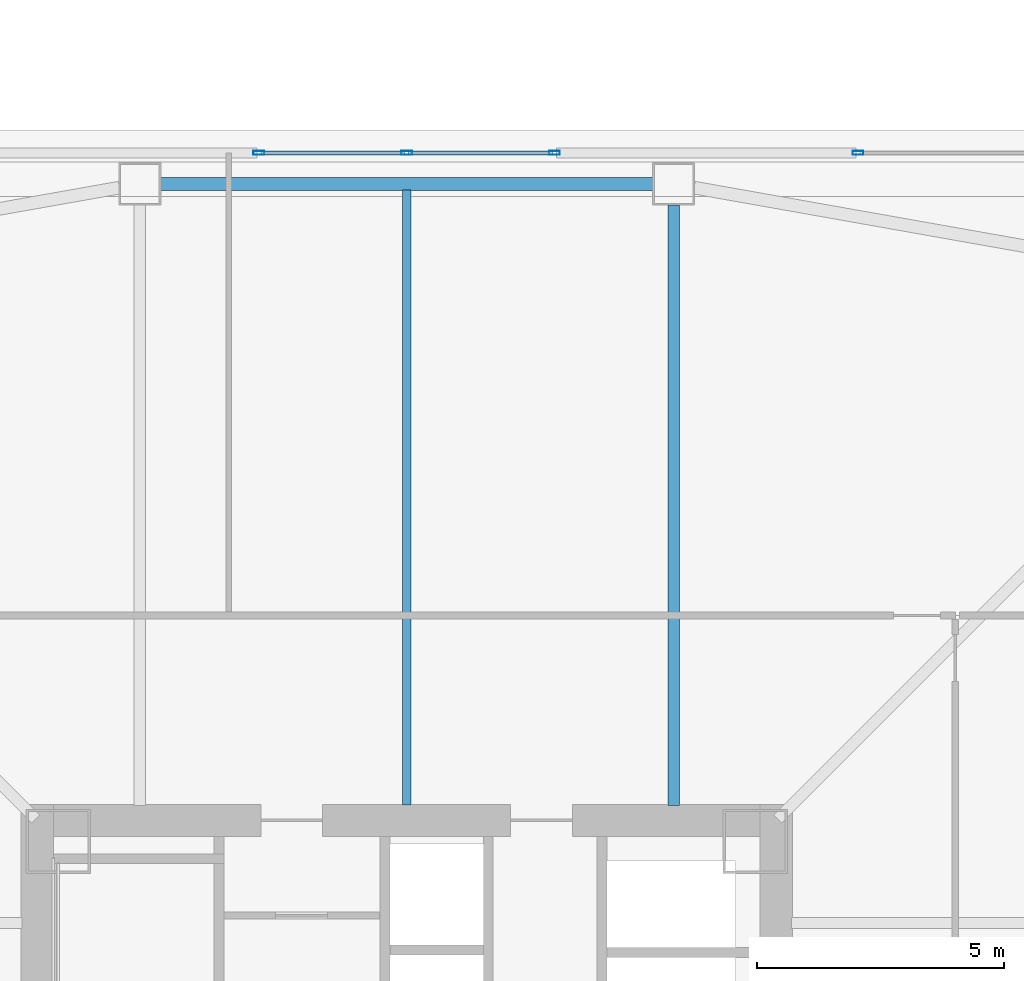
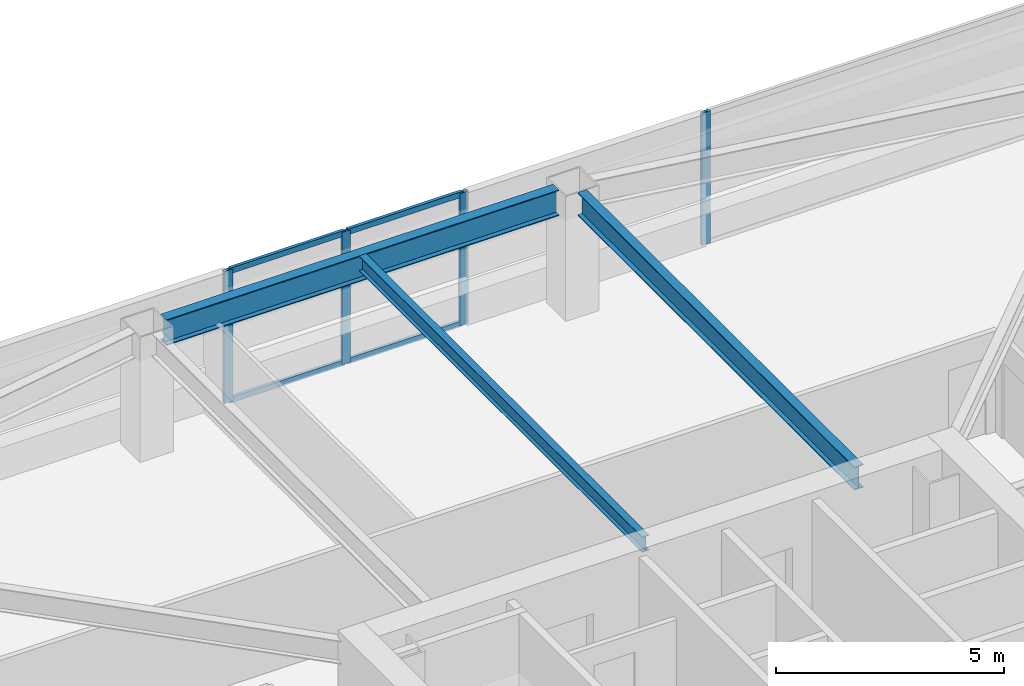
# One storey, part 13 of 44: 8 members, 3 beams, 2 elements without a shape of their own.
"""IFC4 building model written with IfcOpenShell, lengths in metres."""

from ifc_helpers import new_model, si_unit, direction, frame, origin, origin_2d, place, context, subcontext, project, spatial, hollow_rectangle, i_section, extrude, material, material_profile, profile_set, type_object, element, aggregate, save


model = new_model("IFC4")

# Units and contexts
model_context = context("Model", 3, precision=1e-05, world=origin(), true_north=direction((0.0, 1.0)))
body_context = subcontext(model_context, "Body", "Model", "MODEL_VIEW")
ifc_project = project(units=[si_unit("LENGTHUNIT", "METRE"), si_unit("AREAUNIT", "SQUARE_METRE"), si_unit("VOLUMEUNIT", "CUBIC_METRE"), si_unit("PLANEANGLEUNIT", "RADIAN"), si_unit("MASSUNIT", "GRAM", prefix="KILO")], contexts=[model_context])

# Site, building, storey
site_placement = place(None, origin())
site = spatial("IfcSite", under=ifc_project, at=site_placement, CompositionType="ELEMENT")
building_placement = place(site_placement, origin())
building = spatial("IfcBuilding", under=site, at=building_placement, Name="Tashvorn Skyway Center", CompositionType="ELEMENT")
storey_placement = place(building_placement, frame((0.0, 0.0, 92.050048828125)))
storey = spatial("IfcBuildingStorey", under=building, at=storey_placement, Name="L24", CompositionType="ELEMENT", Elevation=92.050048828125)

# Beams
ifc_material_1 = material(Name="Steel ASTM A992 Grade 50", Category="steel")
ifc_material_profile_1 = material_profile(ifc_material_1, i_section(OverallWidth=0.22998046875, OverallDepth=0.616943359375, WebThickness=0.01318359375, FlangeThickness=0.022216796875, at=origin_2d()), Name="W24X94")
ifc_profile_set_1 = profile_set([ifc_material_profile_1], Name="Steel ASTM A992 Grade 50")
beam_type_1 = type_object("IfcBeamType", Name="BM-BEAM-W24X94", PredefinedType="BEAM", material=ifc_profile_set_1)
beam_1_placement = place(storey_placement, frame((47.39990234375, 51.929931640625, 3.04150390625), z_axis=(0.0, -1.0, 0.0), x_axis=(1.0, 0.0, 0.0)))
element("IfcBeam", 1, at=beam_1_placement, inside=storey, type_object=beam_type_1, Name="Tower 1 L24 Primary Floor Girder FC-N1", PredefinedType="BEAM", context=body_context, shape_type="SweptSolid", body=[
    extrude(i_section(OverallWidth=0.22998046875, OverallDepth=0.616943359375, WebThickness=0.01318359375, FlangeThickness=0.022216796875, at=origin_2d()), origin(), (0.0, 0.0, 1.0), 12.14990234375),
])
ifc_material_profile_2 = material_profile(ifc_material_1, i_section(OverallWidth=0.177978515625, OverallDepth=0.406005859375, WebThickness=0.0078125, FlangeThickness=0.0126953125, at=origin_2d()), Name="W16X40")
ifc_profile_set_2 = profile_set([ifc_material_profile_2], Name="Steel ASTM A992 Grade 50")
beam_type_2 = type_object("IfcBeamType", Name="BM-JOIST-W16X40", PredefinedType="JOIST", material=ifc_profile_set_2)
beam_2_placement = place(storey_placement, frame((42.0, 39.7900390625, 3.14697265625), z_axis=(0.0, 1.0, 0.0), x_axis=(-1.0, 0.0, 0.0)))
element("IfcBeam", 2, at=beam_2_placement, inside=storey, type_object=beam_type_2, Name="Tower 1 L24 Secondary Composite Joist JN", PredefinedType="JOIST", context=body_context, shape_type="SweptSolid", body=[
    extrude(i_section(OverallWidth=0.177978515625, OverallDepth=0.406005859375, WebThickness=0.0078125, FlangeThickness=0.0126953125, at=origin_2d()), origin(), (0.0, 0.0, 1.0), 12.43994140625),
])
ifc_material_profile_3 = material_profile(ifc_material_1, i_section(OverallWidth=0.256103515625, OverallDepth=0.693115234375, WebThickness=0.014404296875, FlangeThickness=0.023681640625, at=origin_2d()), Name="W27X114")
ifc_profile_set_3 = profile_set([ifc_material_profile_3], Name="Steel ASTM A992 Grade 50")
beam_type_3 = type_object("IfcBeamType", Name="BM-SPANDREL-W27X114", PredefinedType="SPANDREL", material=ifc_profile_set_3)
beam_3_placement = place(storey_placement, frame((46.97998046875, 52.35009765625, 3.00341796875), z_axis=(-1.0, 0.0, 0.0), x_axis=(0.0, -1.0, 0.0)))
element("IfcBeam", 3, at=beam_3_placement, inside=storey, type_object=beam_type_3, Name="Tower 1 L24 Spandrel Beam 08", PredefinedType="SPANDREL", context=body_context, shape_type="SweptSolid", body=[
    extrude(i_section(OverallWidth=0.256103515625, OverallDepth=0.693115234375, WebThickness=0.014404296875, FlangeThickness=0.023681640625, at=origin_2d()), origin(), (0.0, 0.0, 1.0), 9.9599609375),
])

# Curtain wall, members
ifc_material_2 = material(Name="Thermally broken bronze-anodized aluminium 6063-T6", Category="aluminium")
curtain_wall_type = type_object("IfcCurtainWallType", Name="CW-CW-Z2", PredefinedType="NOTDEFINED", material=ifc_material_2)
curtain_wall_1_placement = place(storey_placement, origin())
curtain_wall_1 = element("IfcCurtainWall", 4, at=curtain_wall_1_placement, inside=storey, type_object=curtain_wall_type, Name="Tower 1 L24 North Unitised Curtain Wall Glazing Group 2", PredefinedType="NOTDEFINED")
ifc_material_profile_4 = material_profile(ifc_material_2, hollow_rectangle(XDim=0.080078125, YDim=0.219970703125, WallThickness=0.0048828125, at=origin_2d()), Name="ALU-MULL-80x220")
ifc_profile_set_4 = profile_set([ifc_material_profile_4], Name="Thermally broken bronze-anodized aluminium 6063-T6")
member_type_1 = type_object("IfcMemberType", Name="CWM-CW-Z2", PredefinedType="MULLION", material=ifc_profile_set_4)
member_1_placement = place(storey_placement, frame((39.010009765625, 52.97998046875, 0.0), z_axis=(0.0, 0.0, 1.0), x_axis=(0.0, 1.0, 0.0)))
member_1 = element("IfcMember", 5, at=member_1_placement, type_object=member_type_1, Name="CW-Z2 mullion 1", PredefinedType="MULLION", context=body_context, shape_type="SweptSolid", body=[
    extrude(hollow_rectangle(XDim=0.080078125, YDim=0.219970703125, WallThickness=0.0048828125, at=origin_2d()), origin(), (0.0, 0.0, 1.0), 3.550048828125),
])
member_2_placement = place(storey_placement, frame((42.0, 52.97998046875, 0.0), z_axis=(0.0, 0.0, 1.0), x_axis=(0.0, 1.0, 0.0)))
member_2 = element("IfcMember", 6, at=member_2_placement, type_object=member_type_1, Name="CW-Z2 mullion 2", PredefinedType="MULLION", context=body_context, shape_type="SweptSolid", body=[
    extrude(hollow_rectangle(XDim=0.080078125, YDim=0.219970703125, WallThickness=0.0048828125, at=origin_2d()), origin(), (0.0, 0.0, 1.0), 3.550048828125),
])
member_3_placement = place(storey_placement, frame((44.989990234375, 52.97998046875, 0.0), z_axis=(0.0, 0.0, 1.0), x_axis=(0.0, 1.0, 0.0)))
member_3 = element("IfcMember", 7, at=member_3_placement, type_object=member_type_1, Name="CW-Z2 mullion 3", PredefinedType="MULLION", context=body_context, shape_type="SweptSolid", body=[
    extrude(hollow_rectangle(XDim=0.080078125, YDim=0.219970703125, WallThickness=0.0048828125, at=origin_2d()), origin(), (0.0, 0.0, 1.0), 3.550048828125),
])

# Curtain wall, member
curtain_wall_2_placement = place(storey_placement, origin())
curtain_wall_2 = element("IfcCurtainWall", 8, at=curtain_wall_2_placement, inside=storey, type_object=curtain_wall_type, Name="Tower 1 L24 North Unitised Curtain Wall Glazing Group 3", PredefinedType="NOTDEFINED")
member_4_placement = place(storey_placement, frame((51.1298828125, 52.97998046875, 0.0), z_axis=(0.0, 0.0, 1.0), x_axis=(0.0, 1.0, 0.0)))
member_4 = element("IfcMember", 9, at=member_4_placement, type_object=member_type_1, Name="CW-Z2 mullion 1", PredefinedType="MULLION", context=body_context, shape_type="SweptSolid", body=[
    extrude(hollow_rectangle(XDim=0.080078125, YDim=0.219970703125, WallThickness=0.0048828125, at=origin_2d()), origin(), (0.0, 0.0, 1.0), 3.550048828125),
])
aggregate(curtain_wall_2, [member_4])

# Member
ifc_material_profile_5 = material_profile(ifc_material_2, hollow_rectangle(XDim=0.080078125, YDim=0.14990234375, WallThickness=0.00439453125, at=origin_2d()), Name="ALU-TRAN-80x150")
ifc_profile_set_5 = profile_set([ifc_material_profile_5], Name="Thermally broken bronze-anodized aluminium 6063-T6")
member_type_2 = type_object("IfcMemberType", Name="CWT-CW-Z2", PredefinedType="USERDEFINED", material=ifc_profile_set_5)
member_5_placement = place(storey_placement, frame((39.050048828125, 52.97998046875, 0.0400390625), z_axis=(1.0, 0.0, 0.0), x_axis=(0.0, 1.0, 0.0)))
member_5 = element("IfcMember", 10, at=member_5_placement, type_object=member_type_2, Name="CW-Z2 transom 1.1", ObjectType="TRANSOM", PredefinedType="USERDEFINED", context=body_context, shape_type="SweptSolid", body=[
    extrude(hollow_rectangle(XDim=0.080078125, YDim=0.14990234375, WallThickness=0.00439453125, at=origin_2d()), origin(), (0.0, 0.0, 1.0), 2.909912109375),
])

member_6_placement = place(storey_placement, frame((39.050048828125, 52.97998046875, 3.510009765625), z_axis=(1.0, 0.0, 0.0), x_axis=(0.0, 1.0, 0.0)))
member_6 = element("IfcMember", 11, at=member_6_placement, type_object=member_type_2, Name="CW-Z2 transom 1.2", ObjectType="TRANSOM", PredefinedType="USERDEFINED", context=body_context, shape_type="SweptSolid", body=[
    extrude(hollow_rectangle(XDim=0.080078125, YDim=0.14990234375, WallThickness=0.00439453125, at=origin_2d()), origin(), (0.0, 0.0, 1.0), 2.909912109375),
])

member_7_placement = place(storey_placement, frame((42.0400390625, 52.97998046875, 0.0400390625), z_axis=(1.0, 0.0, 0.0), x_axis=(0.0, 1.0, 0.0)))
member_7 = element("IfcMember", 12, at=member_7_placement, type_object=member_type_2, Name="CW-Z2 transom 2.1", ObjectType="TRANSOM", PredefinedType="USERDEFINED", context=body_context, shape_type="SweptSolid", body=[
    extrude(hollow_rectangle(XDim=0.080078125, YDim=0.14990234375, WallThickness=0.00439453125, at=origin_2d()), origin(), (0.0, 0.0, 1.0), 2.909912109375),
])

member_8_placement = place(storey_placement, frame((42.0400390625, 52.97998046875, 3.510009765625), z_axis=(1.0, 0.0, 0.0), x_axis=(0.0, 1.0, 0.0)))
member_8 = element("IfcMember", 13, at=member_8_placement, type_object=member_type_2, Name="CW-Z2 transom 2.2", ObjectType="TRANSOM", PredefinedType="USERDEFINED", context=body_context, shape_type="SweptSolid", body=[
    extrude(hollow_rectangle(XDim=0.080078125, YDim=0.14990234375, WallThickness=0.00439453125, at=origin_2d()), origin(), (0.0, 0.0, 1.0), 2.909912109375),
])

aggregate(curtain_wall_1, [member_1, member_2, member_3, member_5, member_6, member_7, member_8])

save(model, "model.ifc")
